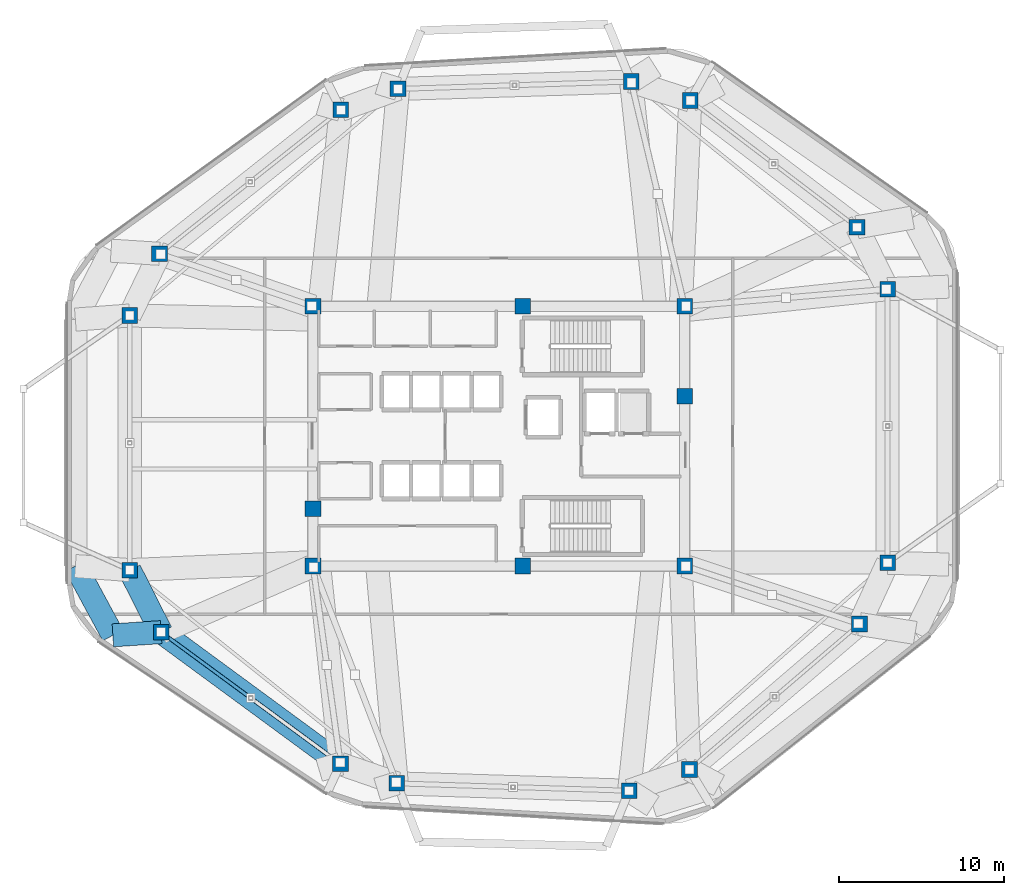
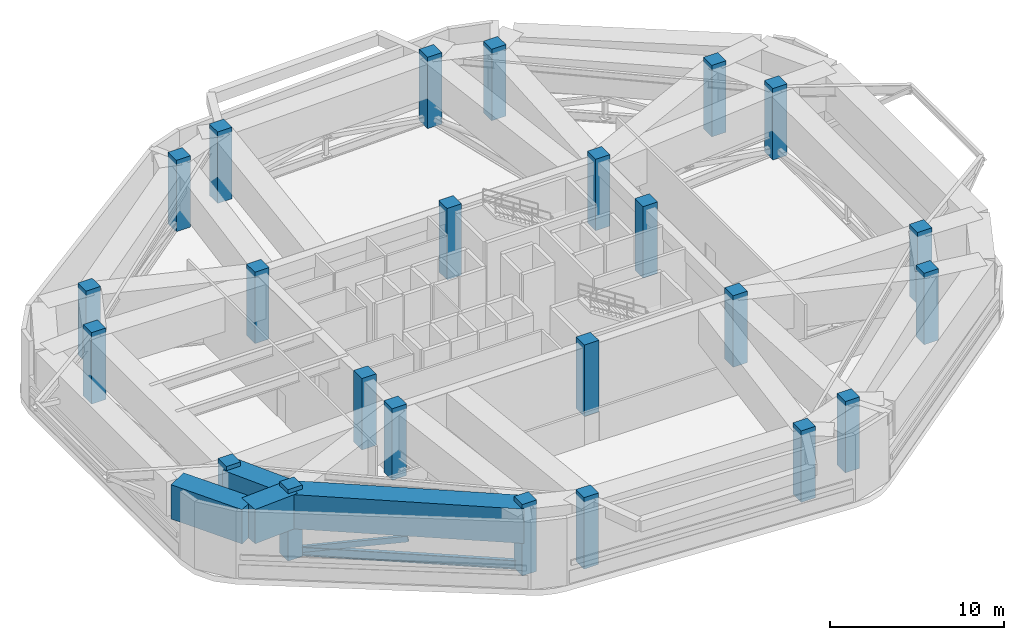
# One storey, part 1 of 13: 24 columns, 4 beams, 2 members.
"""IFC4 building model written with IfcOpenShell, lengths in metres."""

from ifc_helpers import new_model, si_unit, direction, frame, origin, origin_2d, place, context, subcontext, project, spatial, rectangle, hollow_rectangle, i_section, extrude, material, material_profile, profile_set, type_object, element, save


model = new_model("IFC4")

# Units and contexts
model_context = context("Model", 3, precision=1e-05, world=origin(), true_north=direction((0.0, 1.0)))
body_context = subcontext(model_context, "Body", "Model", "MODEL_VIEW")
ifc_project = project(units=[si_unit("LENGTHUNIT", "METRE"), si_unit("AREAUNIT", "SQUARE_METRE"), si_unit("VOLUMEUNIT", "CUBIC_METRE"), si_unit("PLANEANGLEUNIT", "RADIAN"), si_unit("MASSUNIT", "GRAM", prefix="KILO")], contexts=[model_context])

# Site, building, storey
site_placement = place(None, origin())
site = spatial("IfcSite", under=ifc_project, at=site_placement, CompositionType="ELEMENT")
building_placement = place(site_placement, origin())
building = spatial("IfcBuilding", under=site, at=building_placement, Name="Zulverin Broadcast Headquarters", CompositionType="ELEMENT")
storey_placement = place(building_placement, frame((0.0, 0.0, 220.0)))
storey = spatial("IfcBuildingStorey", under=building, at=storey_placement, Name="L56", CompositionType="ELEMENT", Elevation=220.0)

# Columns
ifc_material_1 = material(Name="Concrete C50/60", Category="concrete")
ifc_material_profile_1 = material_profile(ifc_material_1, rectangle(XDim=0.949951171875, YDim=0.949951171875, at=origin_2d()), Name="Concrete C50/60", Category="concrete")
ifc_profile_set_1 = profile_set([ifc_material_profile_1], Name="Concrete C50/60")
column_type_1 = type_object("IfcColumnType", Name="COL-RC-950", PredefinedType="COLUMN", material=ifc_profile_set_1)
for number, where, z_axis, x_axis, name in (
    (1, (30.80859375, 4.12744140625, 0.0), (0.0, 0.0, 1.0), (1.0, 0.0, 0.0), "L56 Perimeter Column T01"),
    (2, (44.909912109375, 3.68017578125, 0.0), (0.0, 0.0, 1.0), (1.0, 0.0, 0.0), "L56 Perimeter Column T02"),
    (3, (48.569580078125, 4.967041015625, 0.0), (0.0, 0.0, 1.0), (1.0, 0.0, 0.0), "L56 Perimeter Column T03"),
    (4, (58.886962890625, 13.798095703125, 0.0), (0.0, 0.0, 1.0), (1.0, 0.0, 0.0), "L56 Perimeter Column T04"),
    (5, (60.60009765625, 17.519287109375, 0.0), (0.0, 0.0, 1.0), (1.0, 0.0, 0.0), "L56 Perimeter Column T05"),
    (6, (60.60009765625, 34.12158203125, 0.0), (0.0, 0.0, 1.0), (1.0, 0.0, 0.0), "L56 Perimeter Column T06"),
    (7, (58.738037109375, 37.877685546875, 0.0), (0.0, 0.0, 1.0), (1.0, 0.0, 0.0), "L56 Perimeter Column T07"),
    (8, (48.62158203125, 45.574951171875, 0.0), (0.0, 0.0, 1.0), (1.0, 0.0, 0.0), "L56 Perimeter Column T08"),
    (9, (45.027587890625, 46.7236328125, 0.0), (0.0, 0.0, 1.0), (1.0, 0.0, 0.0), "L56 Perimeter Column T09"),
    (10, (30.882080078125, 46.27490234375, 0.0), (0.0, 0.0, 1.0), (1.0, 0.0, 0.0), "L56 Perimeter Column T10"),
    (11, (27.416259765625, 45.00439453125, 0.0), (0.0, 0.0, 1.0), (1.0, 0.0, 0.0), "L56 Perimeter Column T11"),
    (12, (16.40869140625, 36.26806640625, 0.0), (0.0, 0.0, 1.0), (1.0, 0.0, 0.0), "L56 Perimeter Column T12"),
    (13, (14.60009765625, 32.523193359375, 0.0), (0.0, 0.0, 1.0), (1.0, 0.0, 0.0), "L56 Perimeter Column T13"),
    (14, (14.60009765625, 17.072021484375, 0.0), (0.0, 0.0, 1.0), (1.0, 0.0, 0.0), "L56 Perimeter Column T14"),
    (15, (16.50537109375, 13.306884765625, 0.0), (0.0, 0.0, 1.0), (1.0, 0.0, 0.0), "L56 Perimeter Column T15"),
    (16, (27.38720703125, 5.309814453125, 0.0), (0.0, 0.0, 1.0), (1.0, 0.0, 0.0), "L56 Perimeter Column T16"),
):
    element("IfcColumn", number, at=place(storey_placement, frame(where, z_axis=z_axis, x_axis=x_axis)), inside=storey, type_object=column_type_1, Name=name, PredefinedType="COLUMN", context=body_context, shape_type="SweptSolid", body=[
        extrude(rectangle(XDim=0.949951171875, YDim=0.949951171875, at=origin_2d()), origin(), (0.0, 0.0, 1.0), 5.0),
    ])
ifc_material_profile_2 = material_profile(ifc_material_1, rectangle(XDim=0.949951171875, YDim=0.949951171875, at=origin_2d()), Name="Concrete C50/60", Category="concrete")
ifc_profile_set_2 = profile_set([ifc_material_profile_2], Name="Concrete C50/60")
column_type_2 = type_object("IfcColumnType", Name="PIL-RC-950", PredefinedType="PILASTER", material=ifc_profile_set_2)
for number, where, z_axis, x_axis, name in (
    (17, (25.72509765625, 17.324951171875, 0.0), (0.0, 0.0, 1.0), (1.0, 0.0, 0.0), "L56 Core Pilaster K01"),
    (18, (38.449951171875, 17.324951171875, 0.0), (0.0, 0.0, 1.0), (1.0, 0.0, 0.0), "L56 Core Pilaster K02"),
    (19, (48.27490234375, 17.324951171875, 0.0), (0.0, 0.0, 1.0), (1.0, 0.0, 0.0), "L56 Core Pilaster K03"),
    (20, (48.27490234375, 27.6201171875, 0.0), (0.0, 0.0, 1.0), (1.0, 0.0, 0.0), "L56 Core Pilaster K04"),
    (21, (48.27490234375, 33.074951171875, 0.0), (0.0, 0.0, 1.0), (1.0, 0.0, 0.0), "L56 Core Pilaster K05"),
    (22, (38.449951171875, 33.074951171875, 0.0), (0.0, 0.0, 1.0), (1.0, 0.0, 0.0), "L56 Core Pilaster K06"),
    (23, (25.72509765625, 33.074951171875, 0.0), (0.0, 0.0, 1.0), (1.0, 0.0, 0.0), "L56 Core Pilaster K07"),
    (24, (25.72509765625, 20.800048828125, 0.0), (0.0, 0.0, 1.0), (1.0, 0.0, 0.0), "L56 Core Pilaster K08"),
):
    element("IfcColumn", number, at=place(storey_placement, frame(where, z_axis=z_axis, x_axis=x_axis)), inside=storey, type_object=column_type_2, Name=name, PredefinedType="PILASTER", context=body_context, shape_type="SweptSolid", body=[
        extrude(rectangle(XDim=0.949951171875, YDim=0.949951171875, at=origin_2d()), origin(), (0.0, 0.0, 1.0), 5.0),
    ])

# Beams
ifc_material_2 = material(Name="Concrete C60/75", Category="concrete")
ifc_material_profile_3 = material_profile(ifc_material_2, rectangle(XDim=1.39990234375, YDim=2.39990234375, at=origin_2d()), Name="Concrete C60/75", Category="concrete")
ifc_profile_set_3 = profile_set([ifc_material_profile_3], Name="Concrete C60/75")
beam_type = type_object("IfcBeamType", Name="BM-TG-1400x2400", PredefinedType="USERDEFINED", material=ifc_profile_set_3)
beam_1_placement = place(storey_placement, frame((14.60009765625, 17.072021484375, 3.510009765625), z_axis=(0.451512947895, -0.892264567201, 0.0), x_axis=(0.892264567201, 0.451512947895, 0.0)))
element("IfcBeam", 25, at=beam_1_placement, inside=storey, type_object=beam_type, Name="L56 Perimeter Transfer Ring Girder SP-14", ObjectType="TRANSFER GIRDER", PredefinedType="USERDEFINED", context=body_context, shape_type="SweptSolid", body=[
    extrude(rectangle(XDim=1.39990234375, YDim=2.39990234375, at=origin_2d()), origin(), (0.0, 0.0, 1.0), 4.2197265625),
])
beam_2_placement = place(storey_placement, frame((16.50537109375, 13.306884765625, 3.510009765625), z_axis=(0.805802234061, -0.592184734338, 0.0), x_axis=(0.592184734338, 0.805802234061, 0.0)))
element("IfcBeam", 26, at=beam_2_placement, inside=storey, type_object=beam_type, Name="L56 Perimeter Transfer Ring Girder SP-15", ObjectType="TRANSFER GIRDER", PredefinedType="USERDEFINED", context=body_context, shape_type="SweptSolid", body=[
    extrude(rectangle(XDim=1.39990234375, YDim=2.39990234375, at=origin_2d()), origin(), (0.0, 0.0, 1.0), 13.50439453125),
])
beam_3_placement = place(storey_placement, frame((11.300048828125, 17.318603515625, 3.510009765625), z_axis=(0.475909852672, -0.879494066, 0.0), x_axis=(0.879494066, 0.475909852672, 0.0)))
element("IfcBeam", 27, at=beam_3_placement, inside=storey, type_object=beam_type, Name="L57 Step Transfer Ring Girder TGR-14", ObjectType="TRANSFER GIRDER", PredefinedType="USERDEFINED", context=body_context, shape_type="SweptSolid", body=[
    extrude(rectangle(XDim=1.39990234375, YDim=2.39990234375, at=origin_2d()), origin(), (0.0, 0.0, 1.0), 4.783203125),
])
beam_4_placement = place(storey_placement, frame((16.50537109375, 13.306884765625, 3.510009765625), z_axis=(-0.99778957176, -0.066452768845, 0.0), x_axis=(0.066452768845, -0.99778957176, 0.0)))
element("IfcBeam", 28, at=beam_4_placement, inside=storey, type_object=beam_type, Name="L57 Column-Framed Step Cantilever Girder TGO-15", ObjectType="TRANSFER GIRDER", PredefinedType="USERDEFINED", context=body_context, shape_type="SweptSolid", body=[
    extrude(rectangle(XDim=1.39990234375, YDim=2.39990234375, at=origin_2d()), origin(), (0.0, 0.0, 1.0), 2.935546875),
])

# Members
ifc_material_3 = material(Name="Structural steel S355JR", Category="steel")
ifc_material_profile_4 = material_profile(ifc_material_3, i_section(OverallWidth=0.230224609375, OverallDepth=0.6171875, WebThickness=0.01318359375, FlangeThickness=0.022216796875, at=origin_2d()), Name="Structural steel S355JR", Category="steel")
ifc_profile_set_4 = profile_set([ifc_material_profile_4], Name="Structural steel S355JR")
member_type_1 = type_object("IfcMemberType", Name="MBR-BLT-CHORD", PredefinedType="CHORD", material=ifc_profile_set_4)
member_1_placement = place(storey_placement, frame((16.50537109375, 13.306884765625, 0.35009765625), z_axis=(0.805802234061, -0.592184734338, 0.0), x_axis=(0.592184734338, 0.805802234061, 0.0)))
element("IfcMember", 29, at=member_1_placement, inside=storey, type_object=member_type_1, Name="L56 Belt Truss Bottom Chord BC-08", PredefinedType="CHORD", context=body_context, shape_type="SweptSolid", body=[
    extrude(i_section(OverallWidth=0.230224609375, OverallDepth=0.6171875, WebThickness=0.01318359375, FlangeThickness=0.022216796875, at=origin_2d()), origin(), (0.0, 0.0, 1.0), 13.50439453125),
])
ifc_material_profile_5 = material_profile(ifc_material_3, hollow_rectangle(XDim=0.199951171875, YDim=0.39990234375, WallThickness=0.01611328125, at=origin_2d()), Name="Structural steel S355JR", Category="steel")
ifc_profile_set_5 = profile_set([ifc_material_profile_5], Name="Structural steel S355JR")
member_type_2 = type_object("IfcMemberType", Name="MBR-BLT-DIAG2", PredefinedType="BRACE", material=ifc_profile_set_5)
member_2_placement = place(storey_placement, frame((16.50537109375, 13.306884765625, 0.35009765625), z_axis=(0.790630873635, -0.580999812327, 0.19324088525), x_axis=(0.592161256006, 0.805819487779, 0.0)))
element("IfcMember", 30, at=member_2_placement, inside=storey, type_object=member_type_2, Name="L56 Belt Truss Diagonal Brace BD-08A", PredefinedType="BRACE", context=body_context, shape_type="SweptSolid", body=[
    extrude(hollow_rectangle(XDim=0.199951171875, YDim=0.39990234375, WallThickness=0.01611328125, at=origin_2d()), origin(), (0.0, 0.0, 1.0), 6.8818359375),
])

save(model, "model.ifc")
